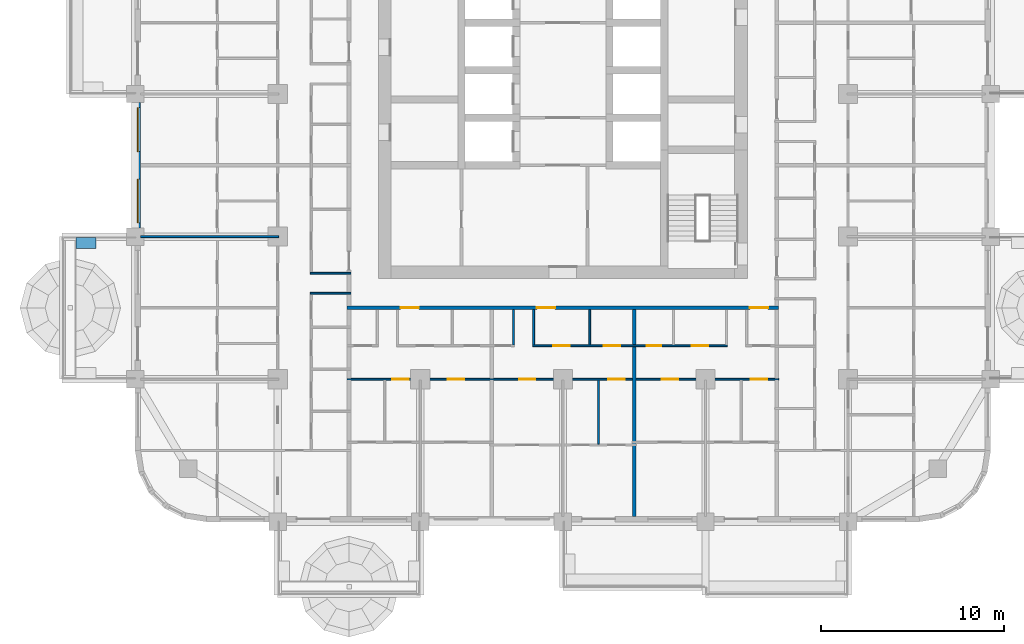
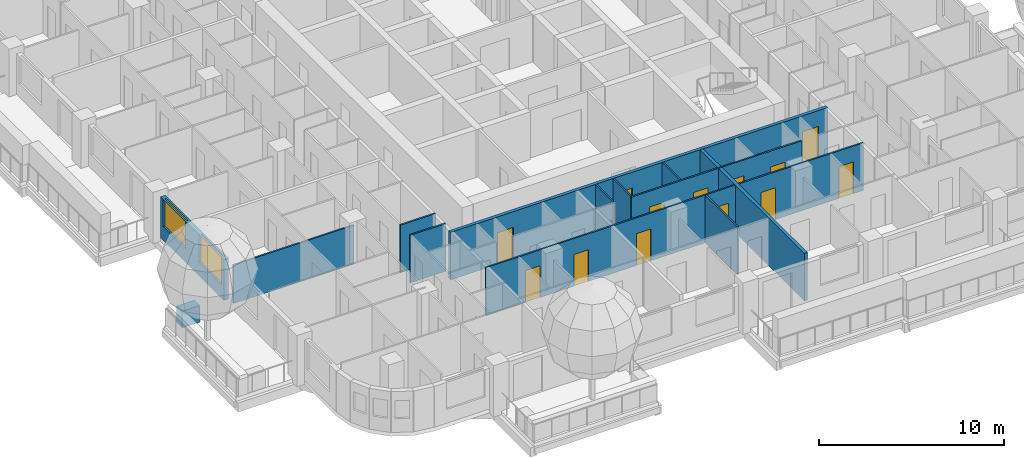
# One storey, part 4 of 19: 13 doors, 13 walls, 2 windows, 15 openings.
"""IFC4 building model written with IfcOpenShell, lengths in metres."""

from ifc_helpers import new_model, si_unit, direction, frame, frame_2d, origin, place, context, subcontext, project, spatial, rectangle, extrude, material, layer, layer_set, type_object, element, fill, save


model = new_model("IFC4")

# Units and contexts
model_context = context("Model", 3, precision=1e-05, world=origin(), true_north=direction((0.0, 1.0)))
body_context = subcontext(model_context, "Body", "Model", "MODEL_VIEW")
ifc_project = project(units=[si_unit("LENGTHUNIT", "METRE"), si_unit("AREAUNIT", "SQUARE_METRE"), si_unit("VOLUMEUNIT", "CUBIC_METRE"), si_unit("PLANEANGLEUNIT", "RADIAN"), si_unit("MASSUNIT", "GRAM", prefix="KILO")], contexts=[model_context])

# Site, building, storey
site_placement = place(None, origin())
site = spatial("IfcSite", under=ifc_project, at=site_placement, CompositionType="ELEMENT")
building_placement = place(site_placement, origin())
building = spatial("IfcBuilding", under=site, at=building_placement, Name="Ludao Terraces", CompositionType="ELEMENT")
storey_placement = place(building_placement, frame((0.0, 0.0, 81.800048828125)))
storey = spatial("IfcBuildingStorey", under=building, at=storey_placement, Name="L22", CompositionType="ELEMENT", Elevation=81.800048828125)

# Wall
ifc_material_1 = material(Name="Concrete C40", Category="concrete")
ifc_layer_1 = layer(ifc_material_1, 0.60009765625)
ifc_layer_set_1 = layer_set([ifc_layer_1], Name="ENV Planter trough 600")
wall_type_1 = type_object("IfcWallType", Name="ENV Planter trough 600", PredefinedType="USERDEFINED", material=ifc_layer_set_1)
wall_1_placement = place(storey_placement, frame((58.35009765625, 56.85009765625, 0.0), z_axis=(0.0, 0.0, 1.0), x_axis=(1.0, 0.0, 0.0)))
element("IfcWall", 1, at=wall_1_placement, inside=storey, type_object=wall_type_1, Name="PL-L22-W1-SB", ObjectType="PLANTER", PredefinedType="USERDEFINED", context=body_context, shape_type="SweptSolid", body=[
    extrude(rectangle(XDim=1.099853515625, YDim=0.60009765625, at=frame_2d((0.5498046875, 0.0))), origin(), (0.0, 0.0, 1.0), 1.099853515625),
])

# Wall, openings, windows
ifc_material_2 = material(Name="Granite cladding", Category="masonry")
ifc_layer_2 = layer(ifc_material_2, 0.0400390625, Category="stone")
ifc_material_3 = material(Name="Mineral wool")
ifc_layer_3 = layer(ifc_material_3, 0.06005859375)
ifc_layer_4 = layer(ifc_material_1, 0.199951171875, Category="concrete")
ifc_layer_set_2 = layer_set([ifc_layer_2, ifc_layer_3, ifc_layer_4], Name="ENV Stone-clad wall 300")
wall_type_2 = type_object("IfcWallType", Name="ENV Stone-clad wall 300", PredefinedType="SOLIDWALL", material=ifc_layer_set_2)
wall_2_placement = place(storey_placement, frame((61.75, 57.675048828125, 0.0), z_axis=(0.0, 0.0, 1.0), x_axis=(0.0, 1.0, 0.0)))
wall_2 = element("IfcWall", 2, at=wall_2_placement, inside=storey, type_object=wall_type_2, Name="EW-L22-W3", PredefinedType="SOLIDWALL", context=body_context, shape_type="SweptSolid", body=[
    extrude(rectangle(XDim=6.849853515625, YDim=0.300048828125, at=frame_2d((3.4248046875, 0.0))), origin(), (0.0, 0.0, 1.0), 2.699951171875),
])
opening_1_placement = place(wall_2_placement, frame((0.27490234375, 0.0, 0.89990234375)))
opening_1 = element("IfcOpeningElement", 3, at=opening_1_placement, cuts=wall_2, Name="Opening W1", PredefinedType="OPENING", context=body_context, shape_type="SweptSolid", body=[
    extrude(rectangle(XDim=2.39990234375, YDim=1.800048828125, at=frame_2d((1.199951171875, 0.89990234375))), frame((0.0, 0.16015625, 0.0), z_axis=(0.0, -1.0, 0.0), x_axis=(1.0, 0.0, 0.0)), (0.0, 0.0, 1.0), 0.320068359375),
])
opening_2_placement = place(wall_2_placement, frame((4.175048828125, 0.0, 0.89990234375)))
opening_2 = element("IfcOpeningElement", 4, at=opening_2_placement, cuts=wall_2, Name="Opening W1", PredefinedType="OPENING", context=body_context, shape_type="SweptSolid", body=[
    extrude(rectangle(XDim=2.39990234375, YDim=1.800048828125, at=frame_2d((1.199951171875, 0.89990234375))), frame((0.0, 0.16015625, 0.0), z_axis=(0.0, -1.0, 0.0), x_axis=(1.0, 0.0, 0.0)), (0.0, 0.0, 1.0), 0.320068359375),
])
ifc_material_4 = material(Name="Clear glass in aluminium frame", Category="aluminium")
ifc_layer_5 = layer(ifc_material_4, 0.06005859375)
ifc_layer_set_3 = layer_set([ifc_layer_5], Name="ENV Window W1 2400x1800")
window_type = type_object("IfcWindowType", Name="ENV Window W1 2400x1800", PartitioningType="DOUBLE_PANEL_VERTICAL", PredefinedType="WINDOW", material=ifc_layer_set_3)
window_1_placement = place(opening_1_placement, origin())
window_1 = element("IfcWindow", 5, at=window_1_placement, inside=storey, type_object=window_type, Name="W-L22-W3-1", OverallHeight=1.800048828125, OverallWidth=2.39990234375, PartitioningType="DOUBLE_PANEL_VERTICAL", PredefinedType="WINDOW", context=body_context, shape_type="SweptSolid", body=[
    extrude(rectangle(XDim=2.39990234375, YDim=1.800048828125, at=frame_2d((1.199951171875, 0.89990234375))), frame((0.0, 0.030029296875, 0.0), z_axis=(0.0, -1.0, 0.0), x_axis=(1.0, 0.0, 0.0)), (0.0, 0.0, 1.0), 0.06005859375),
])
fill(opening_1, window_1)
window_2_placement = place(opening_2_placement, origin())
window_2 = element("IfcWindow", 6, at=window_2_placement, inside=storey, type_object=window_type, Name="W-L22-W3-2", OverallHeight=1.800048828125, OverallWidth=2.39990234375, PartitioningType="DOUBLE_PANEL_VERTICAL", PredefinedType="WINDOW", context=body_context, shape_type="SweptSolid", body=[
    extrude(rectangle(XDim=2.39990234375, YDim=1.800048828125, at=frame_2d((1.199951171875, 0.89990234375))), frame((0.0, 0.030029296875, 0.0), z_axis=(0.0, -1.0, 0.0), x_axis=(1.0, 0.0, 0.0)), (0.0, 0.0, 1.0), 0.06005859375),
])
fill(opening_2, window_2)

# Wall, openings, doors
ifc_material_5 = material(Name="Autoclaved aerated concrete block B06 A3.5", Category="concrete")
ifc_layer_6 = layer(ifc_material_5, 0.199951171875)
ifc_layer_set_4 = layer_set([ifc_layer_6], Name="INT Entrance wall 200")
wall_type_3 = type_object("IfcWallType", Name="INT Entrance wall 200", PredefinedType="PARTITIONING", material=ifc_layer_set_4)
wall_3_placement = place(storey_placement, frame((73.2001953125, 53.300048828125, 0.0), z_axis=(0.0, 0.0, 1.0), x_axis=(1.0, 0.0, 0.0)))
wall_3 = element("IfcWall", 7, at=wall_3_placement, inside=storey, type_object=wall_type_3, Name="PW-L22-PW020", PredefinedType="PARTITIONING", context=body_context, shape_type="SweptSolid", body=[
    extrude(rectangle(XDim=23.599853515625, YDim=0.199951171875, at=frame_2d((11.7998046875, 0.0))), origin(), (0.0, 0.0, 1.0), 3.14990234375),
])
opening_3_placement = place(wall_3_placement, frame((2.9248046875, 0.0, 0.0)))
opening_3 = element("IfcOpeningElement", 8, at=opening_3_placement, cuts=wall_3, Name="Opening R06-048", PredefinedType="OPENING", context=body_context, shape_type="SweptSolid", body=[
    extrude(rectangle(XDim=1.0, YDim=2.10009765625, at=frame_2d((0.5, 1.050048828125))), frame((0.0, 0.10986328125, 0.0), z_axis=(0.0, -1.0, 0.0), x_axis=(1.0, 0.0, 0.0)), (0.0, 0.0, 1.0), 0.219970703125),
])
opening_4_placement = place(wall_3_placement, frame((10.375, 0.0, 0.0)))
opening_4 = element("IfcOpeningElement", 9, at=opening_4_placement, cuts=wall_3, Name="Opening R06-049", PredefinedType="OPENING", context=body_context, shape_type="SweptSolid", body=[
    extrude(rectangle(XDim=1.0, YDim=2.10009765625, at=frame_2d((0.5, 1.050048828125))), frame((0.0, 0.10986328125, 0.0), z_axis=(0.0, -1.0, 0.0), x_axis=(1.0, 0.0, 0.0)), (0.0, 0.0, 1.0), 0.219970703125),
])
opening_5_placement = place(wall_3_placement, frame((22.02490234375, 0.0, 0.0)))
opening_5 = element("IfcOpeningElement", 10, at=opening_5_placement, cuts=wall_3, Name="Opening R06-050", PredefinedType="OPENING", context=body_context, shape_type="SweptSolid", body=[
    extrude(rectangle(XDim=1.0, YDim=2.10009765625, at=frame_2d((0.5, 1.050048828125))), frame((0.0, 0.10986328125, 0.0), z_axis=(0.0, -1.0, 0.0), x_axis=(1.0, 0.0, 0.0)), (0.0, 0.0, 1.0), 0.219970703125),
])
ifc_material_6 = material(Name="Steel Q235", Category="steel")
door_type_1 = type_object("IfcDoorType", Name="INT Flat entrance door 1000", OperationType="SINGLE_SWING_LEFT", PredefinedType="DOOR", material=ifc_material_6)
door_1_placement = place(opening_3_placement, origin())
door_1 = element("IfcDoor", 11, at=door_1_placement, inside=storey, type_object=door_type_1, Name="DOOR 048", OperationType="SINGLE_SWING_LEFT", OverallHeight=2.10009765625, OverallWidth=1.0, PredefinedType="DOOR", context=body_context, shape_type="SweptSolid", body=[
    extrude(rectangle(XDim=1.0, YDim=2.10009765625, at=frame_2d((0.5, 1.050048828125))), frame((0.0, 0.02490234375, 0.0), z_axis=(0.0, -1.0, 0.0), x_axis=(1.0, 0.0, 0.0)), (0.0, 0.0, 1.0), 0.050048828125),
])
fill(opening_3, door_1)
door_2_placement = place(opening_4_placement, origin())
door_2 = element("IfcDoor", 12, at=door_2_placement, inside=storey, type_object=door_type_1, Name="DOOR 049", OperationType="SINGLE_SWING_LEFT", OverallHeight=2.10009765625, OverallWidth=1.0, PredefinedType="DOOR", context=body_context, shape_type="SweptSolid", body=[
    extrude(rectangle(XDim=1.0, YDim=2.10009765625, at=frame_2d((0.5, 1.050048828125))), frame((0.0, 0.02490234375, 0.0), z_axis=(0.0, -1.0, 0.0), x_axis=(1.0, 0.0, 0.0)), (0.0, 0.0, 1.0), 0.050048828125),
])
fill(opening_4, door_2)
door_3_placement = place(opening_5_placement, origin())
door_3 = element("IfcDoor", 13, at=door_3_placement, inside=storey, type_object=door_type_1, Name="DOOR 050", OperationType="SINGLE_SWING_LEFT", OverallHeight=2.10009765625, OverallWidth=1.0, PredefinedType="DOOR", context=body_context, shape_type="SweptSolid", body=[
    extrude(rectangle(XDim=1.0, YDim=2.10009765625, at=frame_2d((0.5, 1.050048828125))), frame((0.0, 0.02490234375, 0.0), z_axis=(0.0, -1.0, 0.0), x_axis=(1.0, 0.0, 0.0)), (0.0, 0.0, 1.0), 0.050048828125),
])
fill(opening_5, door_3)

ifc_material_7 = material(Name="Gypsum plasterboard", Category="gypsum")
ifc_layer_7 = layer(ifc_material_7, 0.012451171875, Category="gypsum")
ifc_layer_8 = layer(ifc_material_3, 0.06005859375, Name="insulation")
ifc_layer_9 = layer(ifc_material_6, 0.014892578125, Name="stud")
ifc_layer_10 = layer(ifc_material_7, 0.012451171875, Category="gypsum")
ifc_layer_set_5 = layer_set([ifc_layer_7, ifc_layer_8, ifc_layer_9, ifc_layer_10], Name="INT Partition 100")
wall_type_4 = type_object("IfcWallType", Name="INT Partition 100", PredefinedType="PARTITIONING", material=ifc_layer_set_5)
wall_4_placement = place(storey_placement, frame((73.2001953125, 49.39990234375, 0.0), z_axis=(0.0, 0.0, 1.0), x_axis=(1.0, 0.0, 0.0)))
wall_4 = element("IfcWall", 14, at=wall_4_placement, inside=storey, type_object=wall_type_4, Name="PW-L22-PW009", PredefinedType="PARTITIONING", context=body_context, shape_type="SweptSolid", body=[
    extrude(rectangle(XDim=23.599853515625, YDim=0.10009765625, at=frame_2d((11.7998046875, 0.0))), origin(), (0.0, 0.0, 1.0), 3.14990234375),
])
opening_6_placement = place(wall_4_placement, frame((2.474853515625, 0.0, 0.0)))
opening_6 = element("IfcOpeningElement", 15, at=opening_6_placement, cuts=wall_4, Name="Opening R06-024", PredefinedType="OPENING", context=body_context, shape_type="SweptSolid", body=[
    extrude(rectangle(XDim=0.89990234375, YDim=2.10009765625, at=frame_2d((0.449951171875, 1.050048828125))), frame((0.0, 0.06005859375, 0.0), z_axis=(0.0, -1.0, 0.0), x_axis=(1.0, 0.0, 0.0)), (0.0, 0.0, 1.0), 0.1201171875),
])
opening_7_placement = place(wall_4_placement, frame((5.5, 0.0, 0.0)))
opening_7 = element("IfcOpeningElement", 16, at=opening_7_placement, cuts=wall_4, Name="Opening R06-025", PredefinedType="OPENING", context=body_context, shape_type="SweptSolid", body=[
    extrude(rectangle(XDim=0.89990234375, YDim=2.10009765625, at=frame_2d((0.449951171875, 1.050048828125))), frame((0.0, 0.06005859375, 0.0), z_axis=(0.0, -1.0, 0.0), x_axis=(1.0, 0.0, 0.0)), (0.0, 0.0, 1.0), 0.1201171875),
])
opening_8_placement = place(wall_4_placement, frame((9.39990234375, 0.0, 0.0)))
opening_8 = element("IfcOpeningElement", 17, at=opening_8_placement, cuts=wall_4, Name="Opening R06-026", PredefinedType="OPENING", context=body_context, shape_type="SweptSolid", body=[
    extrude(rectangle(XDim=0.89990234375, YDim=2.10009765625, at=frame_2d((0.449951171875, 1.050048828125))), frame((0.0, 0.06005859375, 0.0), z_axis=(0.0, -1.0, 0.0), x_axis=(1.0, 0.0, 0.0)), (0.0, 0.0, 1.0), 0.1201171875),
])
opening_9_placement = place(wall_4_placement, frame((14.27490234375, 0.0, 0.0)))
opening_9 = element("IfcOpeningElement", 18, at=opening_9_placement, cuts=wall_4, Name="Opening R06-027", PredefinedType="OPENING", context=body_context, shape_type="SweptSolid", body=[
    extrude(rectangle(XDim=0.89990234375, YDim=2.10009765625, at=frame_2d((0.449951171875, 1.050048828125))), frame((0.0, 0.06005859375, 0.0), z_axis=(0.0, -1.0, 0.0), x_axis=(1.0, 0.0, 0.0)), (0.0, 0.0, 1.0), 0.1201171875),
])
opening_10_placement = place(wall_4_placement, frame((17.199951171875, 0.0, 0.0)))
opening_10 = element("IfcOpeningElement", 19, at=opening_10_placement, cuts=wall_4, Name="Opening R06-028", PredefinedType="OPENING", context=body_context, shape_type="SweptSolid", body=[
    extrude(rectangle(XDim=0.89990234375, YDim=2.10009765625, at=frame_2d((0.449951171875, 1.050048828125))), frame((0.0, 0.06005859375, 0.0), z_axis=(0.0, -1.0, 0.0), x_axis=(1.0, 0.0, 0.0)), (0.0, 0.0, 1.0), 0.1201171875),
])
opening_11_placement = place(wall_4_placement, frame((22.074951171875, 0.0, 0.0)))
opening_11 = element("IfcOpeningElement", 20, at=opening_11_placement, cuts=wall_4, Name="Opening R06-029", PredefinedType="OPENING", context=body_context, shape_type="SweptSolid", body=[
    extrude(rectangle(XDim=0.89990234375, YDim=2.10009765625, at=frame_2d((0.449951171875, 1.050048828125))), frame((0.0, 0.06005859375, 0.0), z_axis=(0.0, -1.0, 0.0), x_axis=(1.0, 0.0, 0.0)), (0.0, 0.0, 1.0), 0.1201171875),
])
ifc_material_8 = material(Name="Timber door leaf", Category="wood")
door_type_2 = type_object("IfcDoorType", Name="INT Room door 900", OperationType="SINGLE_SWING_LEFT", PredefinedType="DOOR", material=ifc_material_8)
door_4_placement = place(opening_6_placement, origin())
door_4 = element("IfcDoor", 21, at=door_4_placement, inside=storey, type_object=door_type_2, Name="DOOR 024", OperationType="SINGLE_SWING_RIGHT", OverallHeight=2.10009765625, OverallWidth=0.89990234375, PredefinedType="DOOR", context=body_context, shape_type="SweptSolid", body=[
    extrude(rectangle(XDim=0.89990234375, YDim=2.10009765625, at=frame_2d((0.449951171875, 1.050048828125))), frame((0.0, 0.02490234375, 0.0), z_axis=(0.0, -1.0, 0.0), x_axis=(1.0, 0.0, 0.0)), (0.0, 0.0, 1.0), 0.050048828125),
])
fill(opening_6, door_4)
door_5_placement = place(opening_7_placement, origin())
door_5 = element("IfcDoor", 22, at=door_5_placement, inside=storey, type_object=door_type_2, Name="DOOR 025", OperationType="SINGLE_SWING_RIGHT", OverallHeight=2.10009765625, OverallWidth=0.89990234375, PredefinedType="DOOR", context=body_context, shape_type="SweptSolid", body=[
    extrude(rectangle(XDim=0.89990234375, YDim=2.10009765625, at=frame_2d((0.449951171875, 1.050048828125))), frame((0.0, 0.02490234375, 0.0), z_axis=(0.0, -1.0, 0.0), x_axis=(1.0, 0.0, 0.0)), (0.0, 0.0, 1.0), 0.050048828125),
])
fill(opening_7, door_5)
door_6_placement = place(opening_8_placement, origin())
door_6 = element("IfcDoor", 23, at=door_6_placement, inside=storey, type_object=door_type_2, Name="DOOR 026", OperationType="SINGLE_SWING_RIGHT", OverallHeight=2.10009765625, OverallWidth=0.89990234375, PredefinedType="DOOR", context=body_context, shape_type="SweptSolid", body=[
    extrude(rectangle(XDim=0.89990234375, YDim=2.10009765625, at=frame_2d((0.449951171875, 1.050048828125))), frame((0.0, 0.02490234375, 0.0), z_axis=(0.0, -1.0, 0.0), x_axis=(1.0, 0.0, 0.0)), (0.0, 0.0, 1.0), 0.050048828125),
])
fill(opening_8, door_6)
door_7_placement = place(opening_9_placement, origin())
door_7 = element("IfcDoor", 24, at=door_7_placement, inside=storey, type_object=door_type_2, Name="DOOR 027", OperationType="SINGLE_SWING_LEFT", OverallHeight=2.10009765625, OverallWidth=0.89990234375, PredefinedType="DOOR", context=body_context, shape_type="SweptSolid", body=[
    extrude(rectangle(XDim=0.89990234375, YDim=2.10009765625, at=frame_2d((0.449951171875, 1.050048828125))), frame((0.0, 0.02490234375, 0.0), z_axis=(0.0, -1.0, 0.0), x_axis=(1.0, 0.0, 0.0)), (0.0, 0.0, 1.0), 0.050048828125),
])
fill(opening_9, door_7)
door_8_placement = place(opening_10_placement, origin())
door_8 = element("IfcDoor", 25, at=door_8_placement, inside=storey, type_object=door_type_2, Name="DOOR 028", OperationType="SINGLE_SWING_LEFT", OverallHeight=2.10009765625, OverallWidth=0.89990234375, PredefinedType="DOOR", context=body_context, shape_type="SweptSolid", body=[
    extrude(rectangle(XDim=0.89990234375, YDim=2.10009765625, at=frame_2d((0.449951171875, 1.050048828125))), frame((0.0, 0.02490234375, 0.0), z_axis=(0.0, -1.0, 0.0), x_axis=(1.0, 0.0, 0.0)), (0.0, 0.0, 1.0), 0.050048828125),
])
fill(opening_10, door_8)
door_9_placement = place(opening_11_placement, origin())
door_9 = element("IfcDoor", 26, at=door_9_placement, inside=storey, type_object=door_type_2, Name="DOOR 029", OperationType="SINGLE_SWING_LEFT", OverallHeight=2.10009765625, OverallWidth=0.89990234375, PredefinedType="DOOR", context=body_context, shape_type="SweptSolid", body=[
    extrude(rectangle(XDim=0.89990234375, YDim=2.10009765625, at=frame_2d((0.449951171875, 1.050048828125))), frame((0.0, 0.02490234375, 0.0), z_axis=(0.0, -1.0, 0.0), x_axis=(1.0, 0.0, 0.0)), (0.0, 0.0, 1.0), 0.050048828125),
])
fill(opening_11, door_9)

wall_5_placement = place(storey_placement, frame((83.35009765625, 51.22998046875, 0.0), z_axis=(0.0, 0.0, 1.0), x_axis=(1.0, 0.0, 0.0)))
wall_5 = element("IfcWall", 27, at=wall_5_placement, inside=storey, type_object=wall_type_4, Name="PW-L22-PW015", PredefinedType="PARTITIONING", context=body_context, shape_type="SweptSolid", body=[
    extrude(rectangle(XDim=10.64990234375, YDim=0.10009765625, at=frame_2d((5.324951171875, 0.0))), origin(), (0.0, 0.0, 1.0), 3.14990234375),
])
opening_12_placement = place(wall_5_placement, frame((1.135009765625, 0.0, 0.0)))
opening_12 = element("IfcOpeningElement", 28, at=opening_12_placement, cuts=wall_5, Name="Opening R06-037", PredefinedType="OPENING", context=body_context, shape_type="SweptSolid", body=[
    extrude(rectangle(XDim=0.89990234375, YDim=2.10009765625, at=frame_2d((0.449951171875, 1.050048828125))), frame((0.0, 0.06005859375, 0.0), z_axis=(0.0, -1.0, 0.0), x_axis=(1.0, 0.0, 0.0)), (0.0, 0.0, 1.0), 0.1201171875),
])
opening_13_placement = place(wall_5_placement, frame((3.885009765625, 0.0, 0.0)))
opening_13 = element("IfcOpeningElement", 29, at=opening_13_placement, cuts=wall_5, Name="Opening R06-038", PredefinedType="OPENING", context=body_context, shape_type="SweptSolid", body=[
    extrude(rectangle(XDim=0.89990234375, YDim=2.10009765625, at=frame_2d((0.449951171875, 1.050048828125))), frame((0.0, 0.06005859375, 0.0), z_axis=(0.0, -1.0, 0.0), x_axis=(1.0, 0.0, 0.0)), (0.0, 0.0, 1.0), 0.1201171875),
])
opening_14_placement = place(wall_5_placement, frame((6.22509765625, 0.0, 0.0)))
opening_14 = element("IfcOpeningElement", 30, at=opening_14_placement, cuts=wall_5, Name="Opening R06-039", PredefinedType="OPENING", context=body_context, shape_type="SweptSolid", body=[
    extrude(rectangle(XDim=0.800048828125, YDim=2.10009765625, at=frame_2d((0.39990234375, 1.050048828125))), frame((0.0, 0.06005859375, 0.0), z_axis=(0.0, -1.0, 0.0), x_axis=(1.0, 0.0, 0.0)), (0.0, 0.0, 1.0), 0.1201171875),
])
opening_15_placement = place(wall_5_placement, frame((8.699951171875, 0.0, 0.0)))
opening_15 = element("IfcOpeningElement", 31, at=opening_15_placement, cuts=wall_5, Name="Opening R06-040", PredefinedType="OPENING", context=body_context, shape_type="SweptSolid", body=[
    extrude(rectangle(XDim=0.89990234375, YDim=2.10009765625, at=frame_2d((0.449951171875, 1.050048828125))), frame((0.0, 0.06005859375, 0.0), z_axis=(0.0, -1.0, 0.0), x_axis=(1.0, 0.0, 0.0)), (0.0, 0.0, 1.0), 0.1201171875),
])
door_type_3 = type_object("IfcDoorType", Name="INT Bathroom door 900", OperationType="SINGLE_SWING_LEFT", PredefinedType="DOOR", material=ifc_material_8)
door_10_placement = place(opening_13_placement, origin())
door_10 = element("IfcDoor", 32, at=door_10_placement, inside=storey, type_object=door_type_3, Name="DOOR 038", OperationType="SINGLE_SWING_RIGHT", OverallHeight=2.10009765625, OverallWidth=0.89990234375, PredefinedType="DOOR", context=body_context, shape_type="SweptSolid", body=[
    extrude(rectangle(XDim=0.89990234375, YDim=2.10009765625, at=frame_2d((0.449951171875, 1.050048828125))), frame((0.0, 0.02490234375, 0.0), z_axis=(0.0, -1.0, 0.0), x_axis=(1.0, 0.0, 0.0)), (0.0, 0.0, 1.0), 0.050048828125),
])
fill(opening_13, door_10)
door_11_placement = place(opening_12_placement, origin())
door_11 = element("IfcDoor", 33, at=door_11_placement, inside=storey, type_object=door_type_2, Name="DOOR 037", OperationType="SINGLE_SWING_LEFT", OverallHeight=2.10009765625, OverallWidth=0.89990234375, PredefinedType="DOOR", context=body_context, shape_type="SweptSolid", body=[
    extrude(rectangle(XDim=0.89990234375, YDim=2.10009765625, at=frame_2d((0.449951171875, 1.050048828125))), frame((0.0, 0.02490234375, 0.0), z_axis=(0.0, -1.0, 0.0), x_axis=(1.0, 0.0, 0.0)), (0.0, 0.0, 1.0), 0.050048828125),
])
fill(opening_12, door_11)
door_12_placement = place(opening_15_placement, origin())
door_12 = element("IfcDoor", 34, at=door_12_placement, inside=storey, type_object=door_type_2, Name="DOOR 040", OperationType="SINGLE_SWING_LEFT", OverallHeight=2.10009765625, OverallWidth=0.89990234375, PredefinedType="DOOR", context=body_context, shape_type="SweptSolid", body=[
    extrude(rectangle(XDim=0.89990234375, YDim=2.10009765625, at=frame_2d((0.449951171875, 1.050048828125))), frame((0.0, 0.02490234375, 0.0), z_axis=(0.0, -1.0, 0.0), x_axis=(1.0, 0.0, 0.0)), (0.0, 0.0, 1.0), 0.050048828125),
])
fill(opening_15, door_12)
door_type_4 = type_object("IfcDoorType", Name="INT Store door 800", OperationType="SINGLE_SWING_LEFT", PredefinedType="DOOR", material=ifc_material_8)
door_13_placement = place(opening_14_placement, origin())
door_13 = element("IfcDoor", 35, at=door_13_placement, inside=storey, type_object=door_type_4, Name="DOOR 039", OperationType="SINGLE_SWING_LEFT", OverallHeight=2.10009765625, OverallWidth=0.800048828125, PredefinedType="DOOR", context=body_context, shape_type="SweptSolid", body=[
    extrude(rectangle(XDim=0.800048828125, YDim=2.10009765625, at=frame_2d((0.39990234375, 1.050048828125))), frame((0.0, 0.02490234375, 0.0), z_axis=(0.0, -1.0, 0.0), x_axis=(1.0, 0.0, 0.0)), (0.0, 0.0, 1.0), 0.050048828125),
])
fill(opening_14, door_13)

# Walls
for number, where, z_axis, x_axis, name in (
    (36, (71.18017578125, 54.10009765625, 0.0), (0.0, 0.0, 1.0), (1.0, 0.0, 0.0), "PW-L22-PW023"),
    (37, (71.18017578125, 55.199951171875, 0.0), (0.0, 0.0, 1.0), (1.0, 0.0, 0.0), "PW-L22-PW025"),
):
    element("IfcWall", number, at=place(storey_placement, frame(where, z_axis=z_axis, x_axis=x_axis)), inside=storey, type_object=wall_type_4, Name=name, PredefinedType="PARTITIONING", context=body_context, shape_type="SweptSolid", body=[
        extrude(rectangle(XDim=2.219970703125, YDim=0.10009765625, at=frame_2d((1.10986328125, 0.0))), origin(), (0.0, 0.0, 1.0), 3.14990234375),
    ])
wall_6_placement = place(storey_placement, frame((61.900146484375, 57.199951171875, 0.0), z_axis=(0.0, 0.0, 1.0), x_axis=(1.0, 0.0, 0.0)))
element("IfcWall", 38, at=wall_6_placement, inside=storey, type_object=wall_type_4, Name="PW-L22-PW027", PredefinedType="PARTITIONING", context=body_context, shape_type="SweptSolid", body=[
    extrude(rectangle(XDim=7.550048828125, YDim=0.10009765625, at=frame_2d((3.77490234375, 0.0))), origin(), (0.0, 0.0, 1.0), 2.5498046875),
])
for number, where, z_axis, x_axis, name in (
    (39, (82.300048828125, 51.280029296875, 0.0), (0.0, 0.0, 1.0), (0.0, 1.0, 0.0), "PW-L22-PW100"),
    (40, (83.39990234375, 51.280029296875, 0.0), (0.0, 0.0, 1.0), (0.0, 1.0, 0.0), "PW-L22-PW101"),
    (41, (86.469970703125, 51.280029296875, 0.0), (0.0, 0.0, 1.0), (0.0, 1.0, 0.0), "PW-L22-PW105"),
):
    element("IfcWall", number, at=place(storey_placement, frame(where, z_axis=z_axis, x_axis=x_axis)), inside=storey, type_object=wall_type_4, Name=name, PredefinedType="PARTITIONING", context=body_context, shape_type="SweptSolid", body=[
        extrude(rectangle(XDim=1.920166015625, YDim=0.10009765625, at=frame_2d((0.9599609375, 0.0))), origin(), (0.0, 0.0, 1.0), 3.14990234375),
    ])
wall_7_placement = place(storey_placement, frame((86.949951171875, 45.85009765625, 0.0), z_axis=(0.0, 0.0, 1.0), x_axis=(0.0, 1.0, 0.0)))
element("IfcWall", 42, at=wall_7_placement, inside=storey, type_object=wall_type_4, Name="PW-L22-PW106", PredefinedType="PARTITIONING", context=body_context, shape_type="SweptSolid", body=[
    extrude(rectangle(XDim=3.5, YDim=0.10009765625, at=frame_2d((1.75, 0.0))), origin(), (0.0, 0.0, 1.0), 3.14990234375),
])
ifc_layer_11 = layer(ifc_material_5, 0.199951171875)
ifc_layer_set_6 = layer_set([ifc_layer_11], Name="INT Party wall 200")
wall_type_5 = type_object("IfcWallType", Name="INT Party wall 200", PredefinedType="PARTITIONING", material=ifc_layer_set_6)
wall_8_placement = place(storey_placement, frame((88.89990234375, 41.900146484375, 0.0), z_axis=(0.0, 0.0, 1.0), x_axis=(0.0, 1.0, 0.0)))
element("IfcWall", 43, at=wall_8_placement, inside=storey, type_object=wall_type_5, Name="PW-L22-PW107", PredefinedType="PARTITIONING", context=body_context, shape_type="SweptSolid", body=[
    extrude(rectangle(XDim=11.300048828125, YDim=0.199951171875, at=frame_2d((5.64990234375, 0.0))), origin(), (0.0, 0.0, 1.0), 3.14990234375),
])

save(model, "model.ifc")
